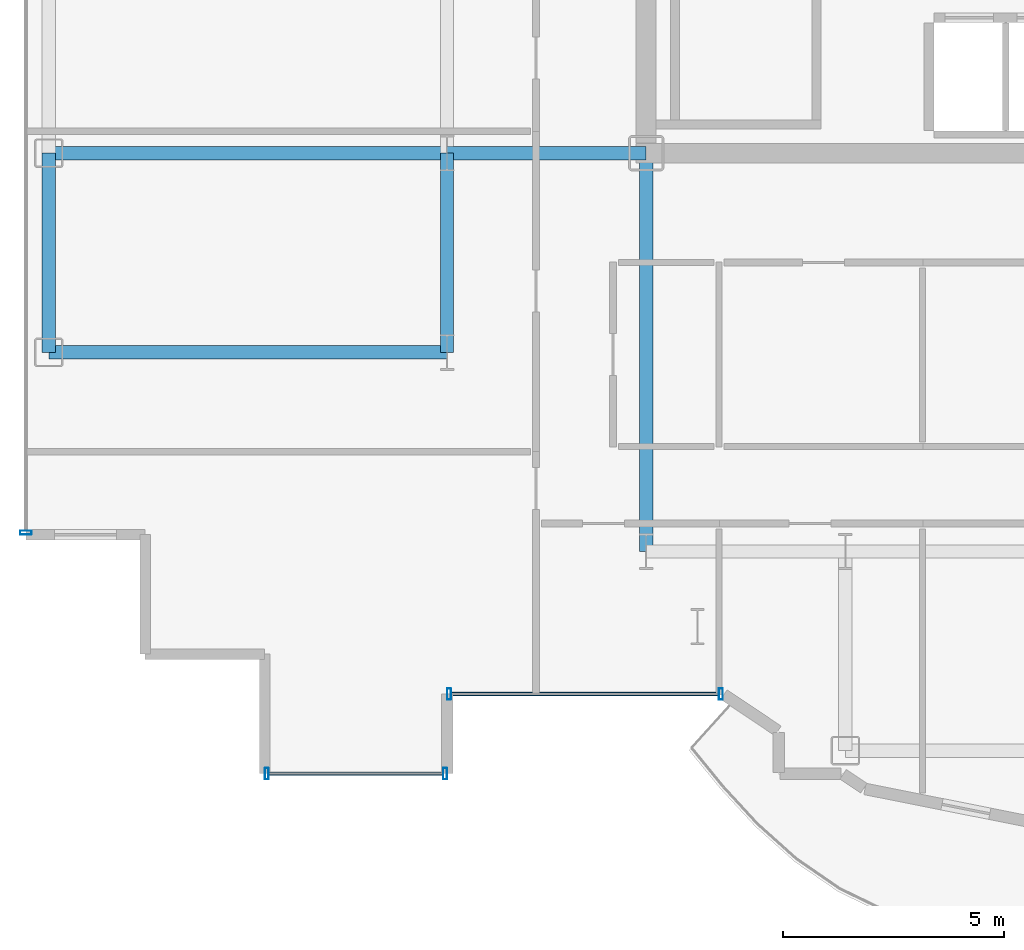
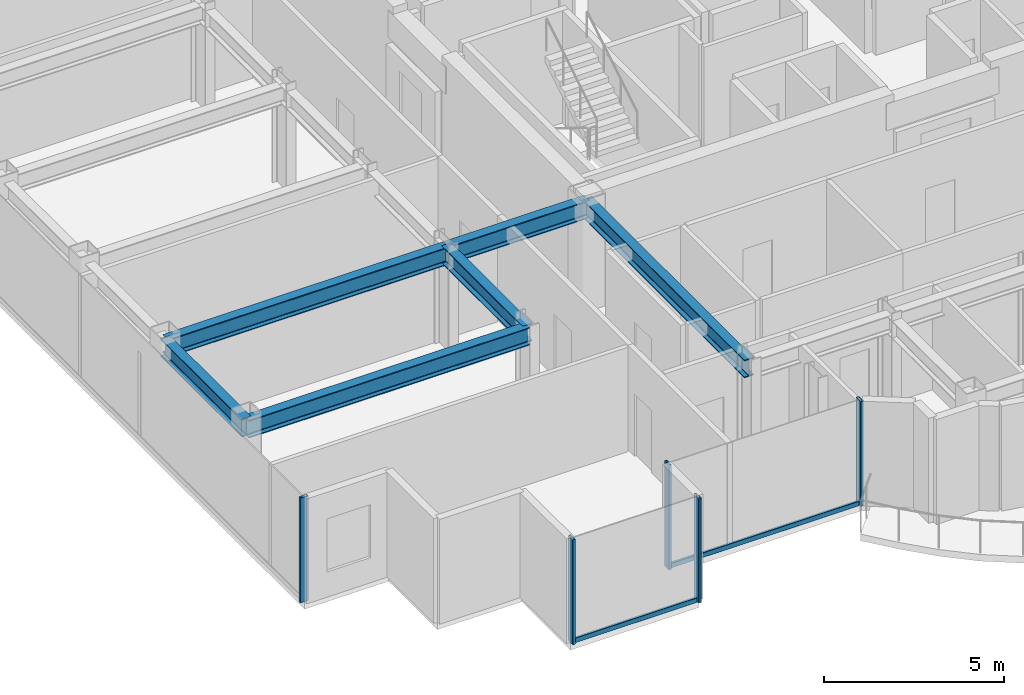
# One storey, part 2 of 21: 7 members, 6 beams, 3 elements without a shape of their own.
"""IFC4 building model written with IfcOpenShell, lengths in metres."""

from ifc_helpers import new_model, si_unit, direction, frame, origin, origin_2d, place, context, subcontext, project, spatial, hollow_rectangle, i_section, extrude, source, transform, mapped, material, layer, layer_set, material_profile, profile_set, type_object, element, aggregate, save


model = new_model("IFC4")

# Units and contexts
model_context = context("Model", 3, precision=1e-05, world=origin(), true_north=direction((0.0, 1.0)))
body_context = subcontext(model_context, "Body", "Model", "MODEL_VIEW")
ifc_project = project(units=[si_unit("LENGTHUNIT", "METRE"), si_unit("AREAUNIT", "SQUARE_METRE"), si_unit("VOLUMEUNIT", "CUBIC_METRE"), si_unit("PLANEANGLEUNIT", "RADIAN"), si_unit("MASSUNIT", "GRAM", prefix="KILO")], contexts=[model_context])

# Site, building, storey
site_placement = place(None, origin())
site = spatial("IfcSite", under=ifc_project, at=site_placement, CompositionType="ELEMENT")
building_placement = place(site_placement, origin())
building = spatial("IfcBuilding", under=site, at=building_placement, Name="Nefas-Gora Pilgrimage Tower", CompositionType="ELEMENT")
storey_placement = place(building_placement, frame((0.0, 0.0, 233.199951171875)))
storey = spatial("IfcBuildingStorey", under=building, at=storey_placement, Name="L58", CompositionType="ELEMENT", Elevation=233.199951171875)

# Beams
ifc_material_1 = material(Name="Steel S355", Category="steel")
ifc_material_profile_1 = material_profile(ifc_material_1, i_section(OverallWidth=0.300048828125, OverallDepth=0.60009765625, WebThickness=0.015380859375, FlangeThickness=0.030029296875, FilletRadius=0.027099609375, at=origin_2d()), Name="HEB 600")
ifc_profile_set_1 = profile_set([ifc_material_profile_1], Name="Steel S355")
beam_type_1 = type_object("IfcBeamType", Name="BM-SPN-HEB450", PredefinedType="SPANDREL", material=ifc_profile_set_1)
shared_shape_1 = source(origin(), body_context, "Body", "SweptSolid", [
    extrude(i_section(OverallWidth=0.300048828125, OverallDepth=0.60009765625, WebThickness=0.015380859375, FlangeThickness=0.030029296875, FilletRadius=0.027099609375, at=origin_2d()), origin(), (0.0, 0.0, 1.0), 4.5),
])
beam_placement = place(storey_placement, frame((-24.75, -13.5, 3.25), z_axis=(0.0, 1.0, 0.0), x_axis=(-1.0, 0.0, 0.0)))
element("IfcBeam", 1, at=beam_placement, inside=storey, type_object=beam_type_1, Name="L58 SP-03 beam", PredefinedType="SPANDREL", context=body_context, shape_type="MappedRepresentation", body=[
    mapped(shared_shape_1, transform((0.0, 0.0, 0.0), x_axis=(1.0, 0.0, 0.0), y_axis=(0.0, 1.0, 0.0), z_axis=(0.0, 0.0, 1.0), scale=1.0)),
])
ifc_material_profile_2 = material_profile(ifc_material_1, i_section(OverallWidth=0.300048828125, OverallDepth=0.60009765625, WebThickness=0.015380859375, FlangeThickness=0.030029296875, FilletRadius=0.027099609375, at=origin_2d()), Name="HEB 600")
ifc_profile_set_2 = profile_set([ifc_material_profile_2], Name="Steel S355")
beam_type_2 = type_object("IfcBeamType", Name="BM-GIR-HEB600", PredefinedType="BEAM", material=ifc_profile_set_2)
shared_shape_2 = source(origin(), body_context, "Body", "SweptSolid", [
    extrude(i_section(OverallWidth=0.300048828125, OverallDepth=0.60009765625, WebThickness=0.015380859375, FlangeThickness=0.030029296875, FilletRadius=0.027099609375, at=origin_2d()), origin(), (0.0, 0.0, 1.0), 9.0),
])
for number, where, z_axis, x_axis, name in (
    (2, (-24.75, -13.5, 3.25), (1.0, 0.0, 0.0), (0.0, 1.0, 0.0), "L58 G-04 beam"),
    (3, (-24.75, -9.0, 3.25), (1.0, 0.0, 0.0), (0.0, 1.0, 0.0), "L58 G-04 beam"),
    (4, (-11.25, -18.0, 3.25), (0.0, 1.0, 0.0), (-1.0, 0.0, 0.0), "L58 G-04 beam"),
):
    element("IfcBeam", number, at=place(storey_placement, frame(where, z_axis=z_axis, x_axis=x_axis)), inside=storey, type_object=beam_type_2, Name=name, PredefinedType="BEAM", context=body_context, shape_type="MappedRepresentation", body=[
        mapped(shared_shape_2, transform((0.0, 0.0, 0.0), x_axis=(1.0, 0.0, 0.0), y_axis=(0.0, 1.0, 0.0), z_axis=(0.0, 0.0, 1.0), scale=1.0)),
    ])
shared_shape_3 = source(origin(), body_context, "Body", "SweptSolid", [
    extrude(i_section(OverallWidth=0.300048828125, OverallDepth=0.60009765625, WebThickness=0.015380859375, FlangeThickness=0.030029296875, FilletRadius=0.027099609375, at=origin_2d()), origin(), (0.0, 0.0, 1.0), 4.5),
])
for number, where, z_axis, x_axis, name in (
    (5, (-15.75, -13.5, 3.25), (0.0, 1.0, 0.0), (-1.0, 0.0, 0.0), "L58 G-04 beam"),
    (6, (-15.75, -9.0, 3.25), (1.0, 0.0, 0.0), (0.0, 1.0, 0.0), "L58 G-04 beam"),
):
    element("IfcBeam", number, at=place(storey_placement, frame(where, z_axis=z_axis, x_axis=x_axis)), inside=storey, type_object=beam_type_2, Name=name, PredefinedType="BEAM", context=body_context, shape_type="MappedRepresentation", body=[
        mapped(shared_shape_3, transform((0.0, 0.0, 0.0), x_axis=(1.0, 0.0, 0.0), y_axis=(0.0, 1.0, 0.0), z_axis=(0.0, 0.0, 1.0), scale=1.0)),
    ])

# Curtain wall, members
ifc_material_2 = material(Name="Dark ceramic-fritted solar-control aluminium-glass curtain wall", Category="aluminium")
ifc_layer_1 = layer(ifc_material_2, 0.219970703125)
ifc_layer_set_1 = layer_set([ifc_layer_1], Name="Dark ceramic-fritted solar-control aluminium-glass curtain wall")
curtain_wall_type_1 = type_object("IfcCurtainWallType", Name="CW-SYS-5", PredefinedType="NOTDEFINED", material=ifc_layer_set_1)
curtain_wall_1_placement = place(storey_placement, origin())
curtain_wall_1 = element("IfcCurtainWall", 7, at=curtain_wall_1_placement, inside=storey, type_object=curtain_wall_type_1, Name="L58 Unitised Curtain Wall CW5", PredefinedType="NOTDEFINED")
ifc_material_3 = material(Name="Anodised architectural aluminium", Category="aluminium")
ifc_material_profile_3 = material_profile(ifc_material_3, hollow_rectangle(XDim=0.090087890625, YDim=0.260009765625, WallThickness=0.006103515625, InnerFilletRadius=0.006103515625, OuterFilletRadius=0.011962890625, at=origin_2d()), Name="ALU MULLION 90x260")
ifc_profile_set_3 = profile_set([ifc_material_profile_3], Name="Anodised architectural aluminium")
member_type_1 = type_object("IfcMemberType", Name="CWM-MUL-5", PredefinedType="MULLION", material=ifc_profile_set_3)
shared_shape_4 = source(origin(), body_context, "Body", "SweptSolid", [
    extrude(hollow_rectangle(XDim=0.090087890625, YDim=0.260009765625, WallThickness=0.006103515625, InnerFilletRadius=0.006103515625, OuterFilletRadius=0.011962890625, at=origin_2d()), origin(), (0.0, 0.0, 1.0), 3.550048828125),
])
member_1_placement = place(storey_placement, frame((-15.705078125, -21.219970703125, 0.0), z_axis=(0.0, 0.0, 1.0), x_axis=(1.0, 0.0, 0.0)))
member_1 = element("IfcMember", 8, at=member_1_placement, type_object=member_type_1, Name="CW5 Mullion 1", PredefinedType="MULLION", context=body_context, shape_type="MappedRepresentation", body=[
    mapped(shared_shape_4, transform((0.0, 0.0, 0.0), x_axis=(1.0, 0.0, 0.0), y_axis=(0.0, 1.0, 0.0), z_axis=(0.0, 0.0, 1.0), scale=1.0)),
])
member_2_placement = place(storey_placement, frame((-9.56298828125, -21.219970703125, 0.0), z_axis=(0.0, 0.0, 1.0), x_axis=(1.0, 0.0, 0.0)))
member_2 = element("IfcMember", 9, at=member_2_placement, type_object=member_type_1, Name="CW5 Mullion 2", PredefinedType="MULLION", context=body_context, shape_type="MappedRepresentation", body=[
    mapped(shared_shape_4, transform((0.0, 0.0, 0.0), x_axis=(1.0, 0.0, 0.0), y_axis=(0.0, 1.0, 0.0), z_axis=(0.0, 0.0, 1.0), scale=1.0)),
])
ifc_material_profile_4 = material_profile(ifc_material_3, hollow_rectangle(XDim=0.080078125, YDim=0.159912109375, WallThickness=0.00439453125, InnerFilletRadius=0.00439453125, OuterFilletRadius=0.009033203125, at=origin_2d()), Name="ALU TRANSOM 80x160")
ifc_profile_set_4 = profile_set([ifc_material_profile_4], Name="Anodised architectural aluminium")
member_type_2 = type_object("IfcMemberType", Name="CWM-TRN-5", PredefinedType="USERDEFINED", material=ifc_profile_set_4)
shared_shape_5 = source(origin(), body_context, "Body", "SweptSolid", [
    extrude(hollow_rectangle(XDim=0.080078125, YDim=0.159912109375, WallThickness=0.00439453125, InnerFilletRadius=0.00439453125, OuterFilletRadius=0.009033203125, at=origin_2d()), origin(), (0.0, 0.0, 1.0), 6.052001953125),
])
member_3_placement = place(storey_placement, frame((-15.659912109375, -21.219970703125, 0.050048828125), z_axis=(1.0, 0.0, 0.0), x_axis=(0.0, 1.0, 0.0)))
member_3 = element("IfcMember", 10, at=member_3_placement, type_object=member_type_2, Name="CW5 Spandrel Transom", ObjectType="TRANSOM", PredefinedType="USERDEFINED", context=body_context, shape_type="MappedRepresentation", body=[
    mapped(shared_shape_5, transform((0.0, 0.0, 0.0), x_axis=(1.0, 0.0, 0.0), y_axis=(0.0, 1.0, 0.0), z_axis=(0.0, 0.0, 1.0), scale=1.0)),
])
aggregate(curtain_wall_1, [member_1, member_2, member_3])

# Curtain wall, member
ifc_layer_2 = layer(ifc_material_2, 0.219970703125)
ifc_layer_set_2 = layer_set([ifc_layer_2], Name="Dark ceramic-fritted solar-control aluminium-glass curtain wall")
curtain_wall_type_2 = type_object("IfcCurtainWallType", Name="CW-SYS-3", PredefinedType="NOTDEFINED", material=ifc_layer_set_2)
curtain_wall_2_placement = place(storey_placement, origin())
curtain_wall_2 = element("IfcCurtainWall", 11, at=curtain_wall_2_placement, inside=storey, type_object=curtain_wall_type_2, Name="L58 Unitised Curtain Wall CW3", PredefinedType="NOTDEFINED")
ifc_material_profile_5 = material_profile(ifc_material_3, hollow_rectangle(XDim=0.090087890625, YDim=0.260009765625, WallThickness=0.006103515625, InnerFilletRadius=0.006103515625, OuterFilletRadius=0.011962890625, at=origin_2d()), Name="ALU MULLION 90x260")
ifc_profile_set_5 = profile_set([ifc_material_profile_5], Name="Anodised architectural aluminium")
member_type_3 = type_object("IfcMemberType", Name="CWM-MUL-3", PredefinedType="MULLION", material=ifc_profile_set_5)
shared_shape_6 = source(origin(), body_context, "Body", "SweptSolid", [
    extrude(hollow_rectangle(XDim=0.090087890625, YDim=0.260009765625, WallThickness=0.006103515625, InnerFilletRadius=0.006103515625, OuterFilletRadius=0.011962890625, at=origin_2d()), origin(), (0.0, 0.0, 1.0), 3.550048828125),
])
member_4_placement = place(storey_placement, frame((-25.27001953125, -17.574951171875, 0.0), z_axis=(0.0, 0.0, 1.0), x_axis=(0.0, -1.0, 0.0)))
member_4 = element("IfcMember", 12, at=member_4_placement, type_object=member_type_3, Name="CW3 Mullion 2", PredefinedType="MULLION", context=body_context, shape_type="MappedRepresentation", body=[
    mapped(shared_shape_6, transform((0.0, 0.0, 0.0), x_axis=(1.0, 0.0, 0.0), y_axis=(0.0, 1.0, 0.0), z_axis=(0.0, 0.0, 1.0), scale=1.0)),
])
aggregate(curtain_wall_2, [member_4])

# Curtain wall, members
curtain_wall_3_placement = place(storey_placement, origin())
curtain_wall_3 = element("IfcCurtainWall", 13, at=curtain_wall_3_placement, inside=storey, type_object=curtain_wall_type_2, Name="L58 Unitised Curtain Wall CW3", PredefinedType="NOTDEFINED")
member_5_placement = place(storey_placement, frame((-19.824951171875, -23.02001953125, 0.0), z_axis=(0.0, 0.0, 1.0), x_axis=(1.0, 0.0, 0.0)))
member_5 = element("IfcMember", 14, at=member_5_placement, type_object=member_type_3, Name="CW3 Mullion 1", PredefinedType="MULLION", context=body_context, shape_type="MappedRepresentation", body=[
    mapped(shared_shape_6, transform((0.0, 0.0, 0.0), x_axis=(1.0, 0.0, 0.0), y_axis=(0.0, 1.0, 0.0), z_axis=(0.0, 0.0, 1.0), scale=1.0)),
])
member_6_placement = place(storey_placement, frame((-15.794921875, -23.02001953125, 0.0), z_axis=(0.0, 0.0, 1.0), x_axis=(1.0, 0.0, 0.0)))
member_6 = element("IfcMember", 15, at=member_6_placement, type_object=member_type_3, Name="CW3 Mullion 2", PredefinedType="MULLION", context=body_context, shape_type="MappedRepresentation", body=[
    mapped(shared_shape_6, transform((0.0, 0.0, 0.0), x_axis=(1.0, 0.0, 0.0), y_axis=(0.0, 1.0, 0.0), z_axis=(0.0, 0.0, 1.0), scale=1.0)),
])
ifc_material_profile_6 = material_profile(ifc_material_3, hollow_rectangle(XDim=0.080078125, YDim=0.159912109375, WallThickness=0.00439453125, InnerFilletRadius=0.00439453125, OuterFilletRadius=0.009033203125, at=origin_2d()), Name="ALU TRANSOM 80x160")
ifc_profile_set_6 = profile_set([ifc_material_profile_6], Name="Anodised architectural aluminium")
member_type_4 = type_object("IfcMemberType", Name="CWM-TRN-3", PredefinedType="USERDEFINED", material=ifc_profile_set_6)
shared_shape_7 = source(origin(), body_context, "Body", "SweptSolid", [
    extrude(hollow_rectangle(XDim=0.080078125, YDim=0.159912109375, WallThickness=0.00439453125, InnerFilletRadius=0.00439453125, OuterFilletRadius=0.009033203125, at=origin_2d()), origin(), (0.0, 0.0, 1.0), 3.93994140625),
])
member_7_placement = place(storey_placement, frame((-19.780029296875, -23.02001953125, 0.050048828125), z_axis=(1.0, 0.0, 0.0), x_axis=(0.0, 1.0, 0.0)))
member_7 = element("IfcMember", 16, at=member_7_placement, type_object=member_type_4, Name="CW3 Spandrel Transom", ObjectType="TRANSOM", PredefinedType="USERDEFINED", context=body_context, shape_type="MappedRepresentation", body=[
    mapped(shared_shape_7, transform((0.0, 0.0, 0.0), x_axis=(1.0, 0.0, 0.0), y_axis=(0.0, 1.0, 0.0), z_axis=(0.0, 0.0, 1.0), scale=1.0)),
])
aggregate(curtain_wall_3, [member_5, member_6, member_7])

save(model, "model.ifc")
